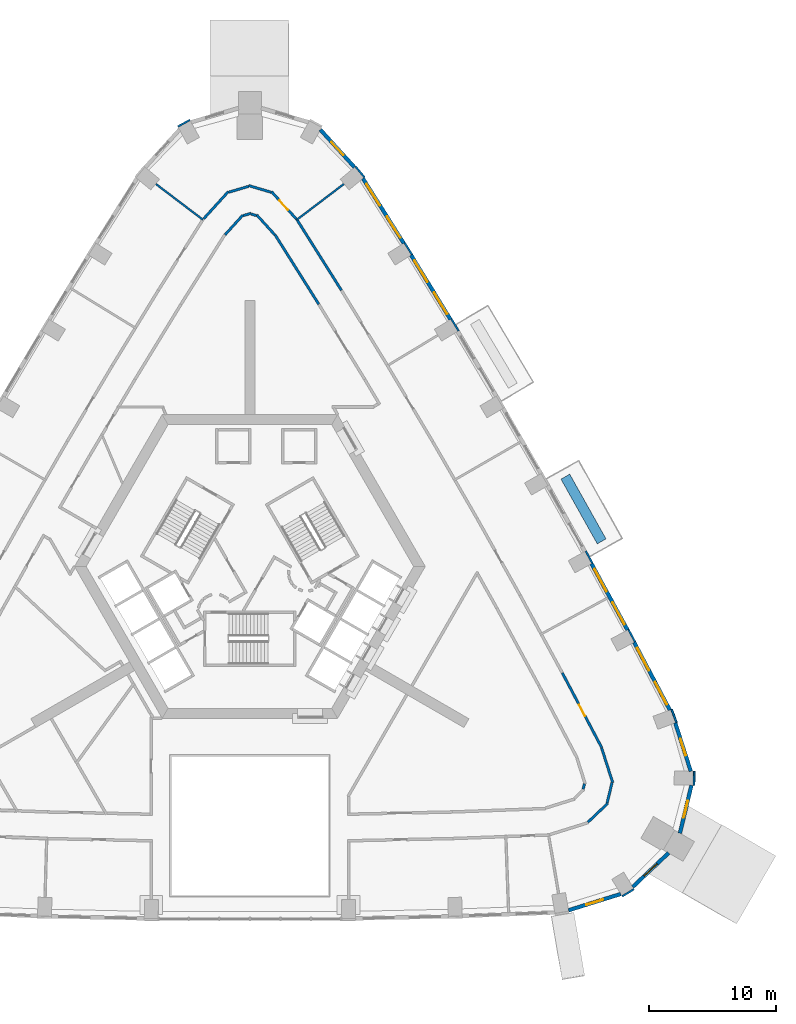
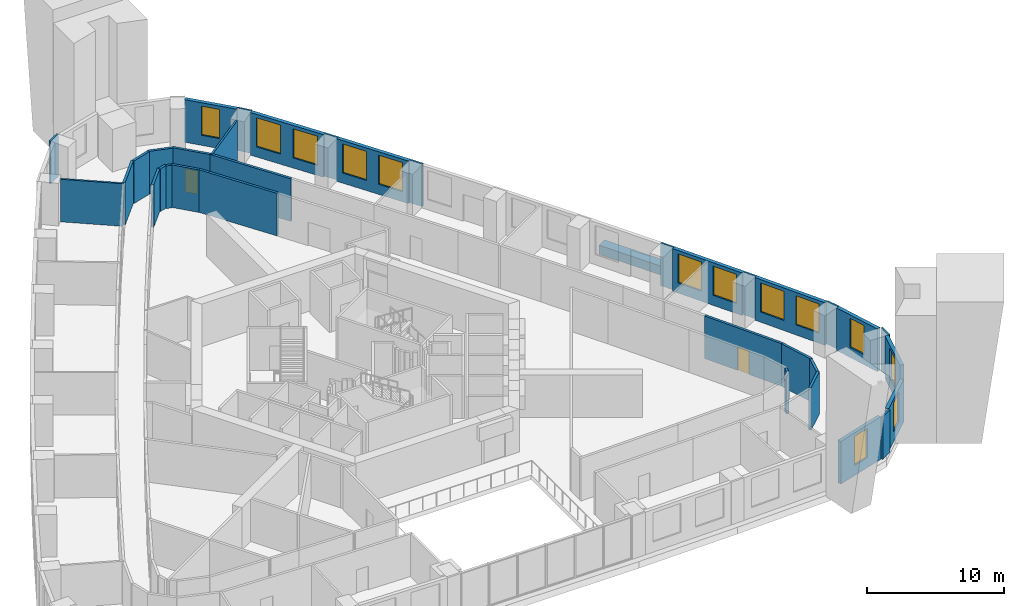
# One storey, part 10 of 14: 36 walls, 13 windows, 2 doors, 15 openings.
"""IFC4 building model written with IfcOpenShell, lengths in metres."""

from ifc_helpers import new_model, si_unit, direction, frame, frame_2d, origin, place, context, subcontext, project, spatial, rectangle, extrude, material, layer, layer_set, type_object, element, fill, save


model = new_model("IFC4")

# Units and contexts
model_context = context("Model", 3, precision=1e-05, world=origin(), true_north=direction((0.0, 1.0)))
body_context = subcontext(model_context, "Body", "Model", "MODEL_VIEW")
ifc_project = project(units=[si_unit("LENGTHUNIT", "METRE"), si_unit("AREAUNIT", "SQUARE_METRE"), si_unit("VOLUMEUNIT", "CUBIC_METRE"), si_unit("PLANEANGLEUNIT", "RADIAN"), si_unit("MASSUNIT", "GRAM", prefix="KILO")], contexts=[model_context])

# Site, building, storey
site_placement = place(None, origin())
site = spatial("IfcSite", under=ifc_project, at=site_placement, CompositionType="ELEMENT")
building_placement = place(site_placement, origin())
building = spatial("IfcBuilding", under=site, at=building_placement, Name="Entoto Arch Interchange Tower", CompositionType="ELEMENT")
storey_placement = place(building_placement, frame((0.0, 0.0, 163.39990234375)))
storey = spatial("IfcBuildingStorey", under=building, at=storey_placement, Name="L36", CompositionType="ELEMENT", Elevation=163.39990234375)

# Walls
ifc_material_1 = material(Name="Gypsum board partition on steel studs", Category="steel")
ifc_layer_1 = layer(ifc_material_1, 0.14990234375)
ifc_layer_set_1 = layer_set([ifc_layer_1], Name="Gypsum board partition on steel studs")
wall_type_1 = type_object("IfcWallType", Name="PARTITION 150", PredefinedType="PARTITIONING", material=ifc_layer_set_1)
for number, where, z_axis, x_axis, name in (
    (1, (3.716064453125, 29.89892578125, 0.0), (0.0, 0.0, 1.0), (0.796435085709, 0.604724031481, 0.0), "wall:L36:p139"),
    (2, (-3.716064453125, 29.89892578125, 0.0), (0.0, 0.0, 1.0), (-0.796435085709, 0.604724031481, 0.0), "wall:L36:p140"),
):
    element("IfcWall", number, at=place(storey_placement, frame(where, z_axis=z_axis, x_axis=x_axis)), inside=storey, type_object=wall_type_1, Name=name, PredefinedType="PARTITIONING", context=body_context, shape_type="SweptSolid", body=[
        extrude(rectangle(XDim=4.6533203125, YDim=0.14990234375, at=frame_2d((2.32666015625, 0.0))), origin(), (0.0, 0.0, 1.0), 3.800048828125),
    ])
ifc_layer_2 = layer(ifc_material_1, 0.199951171875)
ifc_layer_set_2 = layer_set([ifc_layer_2], Name="Gypsum board partition on steel studs")
wall_type_2 = type_object("IfcWallType", Name="PARTITION 200", PredefinedType="PARTITIONING", material=ifc_layer_set_2)
wall_1_placement = place(storey_placement, frame((5.44091796875, 23.218017578125, 0.0), z_axis=(0.0, 0.0, 1.0), x_axis=(-0.532786324951, 0.846249804694, 0.0)))
element("IfcWall", 3, at=wall_1_placement, inside=storey, type_object=wall_type_2, Name="wall:L36:p010", PredefinedType="PARTITIONING", context=body_context, shape_type="SweptSolid", body=[
    extrude(rectangle(XDim=6.488525390625, YDim=0.199951171875, at=frame_2d((3.244140625, 0.0))), origin(), (0.0, 0.0, 1.0), 3.800048828125),
])
wall_2_placement = place(storey_placement, frame((1.969970703125, 28.697998046875, 0.0), z_axis=(0.0, 0.0, 1.0), x_axis=(-0.671753081184, 0.740775133168, 0.0)))
element("IfcWall", 4, at=wall_2_placement, inside=storey, type_object=wall_type_2, Name="wall:L36:p011", PredefinedType="PARTITIONING", context=body_context, shape_type="SweptSolid", body=[
    extrude(rectangle(XDim=2.115234375, YDim=0.199951171875, at=frame_2d((1.0576171875, 0.0))), origin(), (0.0, 0.0, 1.0), 3.800048828125),
])
wall_3_placement = place(storey_placement, frame((0.52001953125, 30.218994140625, 0.0), z_axis=(0.0, 0.0, 1.0), x_axis=(-0.959198261843, 0.282734317826, 0.0)))
element("IfcWall", 5, at=wall_3_placement, inside=storey, type_object=wall_type_2, Name="wall:L36:p012", PredefinedType="PARTITIONING", context=body_context, shape_type="SweptSolid", body=[
    extrude(rectangle(XDim=0.442138671875, YDim=0.199951171875, at=frame_2d((0.22119140625, 0.0))), origin(), (0.0, 0.0, 1.0), 3.800048828125),
])
wall_4_placement = place(storey_placement, frame((0.095947265625, 30.40087890625, 0.0), z_axis=(0.0, 0.0, 1.0), x_axis=(-0.959062300239, -0.283195169908, 0.0)))
element("IfcWall", 6, at=wall_4_placement, inside=storey, type_object=wall_type_2, Name="wall:L36:p013", PredefinedType="PARTITIONING", context=body_context, shape_type="SweptSolid", body=[
    extrude(rectangle(XDim=0.642333984375, YDim=0.199951171875, at=frame_2d((0.3212890625, 0.0))), origin(), (0.0, 0.0, 1.0), 3.800048828125),
])
wall_5_placement = place(storey_placement, frame((-0.549072265625, 30.264892578125, 0.0), z_axis=(0.0, 0.0, 1.0), x_axis=(-0.671753081184, -0.740775133168, 0.0)))
element("IfcWall", 7, at=wall_5_placement, inside=storey, type_object=wall_type_2, Name="wall:L36:p014", PredefinedType="PARTITIONING", context=body_context, shape_type="SweptSolid", body=[
    extrude(rectangle(XDim=2.115234375, YDim=0.199951171875, at=frame_2d((1.0576171875, 0.0))), origin(), (0.0, 0.0, 1.0), 3.800048828125),
])
wall_6_placement = place(storey_placement, frame((26.326904296875, -15.089111328125, 0.0), z_axis=(0.0, 0.0, 1.0), x_axis=(0.233414791565, 0.972377259647, 0.0)))
element("IfcWall", 8, at=wall_6_placement, inside=storey, type_object=wall_type_2, Name="wall:L36:p022", PredefinedType="PARTITIONING", context=body_context, shape_type="SweptSolid", body=[
    extrude(rectangle(XDim=0.44140625, YDim=0.199951171875, at=frame_2d((0.220703125, 0.0))), origin(), (0.0, 0.0, 1.0), 3.800048828125),
])

# Wall, opening, door
wall_7_placement = place(storey_placement, frame((24.679931640625, -5.906005859375, 0.0), z_axis=(0.0, 0.0, 1.0), x_axis=(0.466450727507, -0.884547182918, 0.0)))
wall_7 = element("IfcWall", 9, at=wall_7_placement, inside=storey, type_object=wall_type_2, Name="wall:L36:p047", PredefinedType="PARTITIONING", context=body_context, shape_type="SweptSolid", body=[
    extrude(rectangle(XDim=6.684814453125, YDim=0.199951171875, at=frame_2d((3.34228515625, 0.0))), origin(), (0.0, 0.0, 1.0), 3.800048828125),
])
opening_1_placement = place(wall_7_placement, frame((2.842041015625, 0.0, 0.0)))
opening_1 = element("IfcOpeningElement", 10, at=opening_1_placement, cuts=wall_7, Name="Opening L36-D03", PredefinedType="OPENING", context=body_context, shape_type="SweptSolid", body=[
    extrude(rectangle(XDim=1.0, YDim=2.10009765625, at=frame_2d((0.5, 1.050048828125))), frame((0.0, 0.10986328125, 0.0), z_axis=(0.0, -1.0, 0.0), x_axis=(1.0, 0.0, 0.0)), (0.0, 0.0, 1.0), 0.219970703125),
])
ifc_material_2 = material(Name="Timber door leaf in Steel S235 frame", Category="steel")
door_type = type_object("IfcDoorType", Name="DOOR DS-10 1000x2100", OperationType="SINGLE_SWING_LEFT", PredefinedType="DOOR", material=ifc_material_2)
door_1_placement = place(opening_1_placement, origin())
door_1 = element("IfcDoor", 11, at=door_1_placement, inside=storey, type_object=door_type, Name="door:L36:03", OperationType="SINGLE_SWING_LEFT", OverallHeight=2.10009765625, OverallWidth=1.0, PredefinedType="DOOR", context=body_context, shape_type="SweptSolid", body=[
    extrude(rectangle(XDim=1.0, YDim=2.10009765625, at=frame_2d((0.5, 1.050048828125))), frame((0.0, 0.02490234375, 0.0), z_axis=(0.0, -1.0, 0.0), x_axis=(1.0, 0.0, 0.0)), (0.0, 0.0, 1.0), 0.050048828125),
])
fill(opening_1, door_1)

# Walls
wall_8_placement = place(storey_placement, frame((27.781982421875, -11.824951171875, 0.0), z_axis=(0.0, 0.0, 1.0), x_axis=(0.304925942137, -0.952376065329, 0.0)))
element("IfcWall", 12, at=wall_8_placement, inside=storey, type_object=wall_type_2, Name="wall:L36:p048", PredefinedType="PARTITIONING", context=body_context, shape_type="SweptSolid", body=[
    extrude(rectangle(XDim=2.8896484375, YDim=0.199951171875, at=frame_2d((1.44482421875, 0.0))), origin(), (0.0, 0.0, 1.0), 3.800048828125),
])
wall_9_placement = place(storey_placement, frame((28.60888671875, -14.5791015625, 0.0), z_axis=(0.0, 0.0, 1.0), x_axis=(-0.233826017197, -0.972278454807, 0.0)))
element("IfcWall", 13, at=wall_9_placement, inside=storey, type_object=wall_type_2, Name="wall:L36:p049", PredefinedType="PARTITIONING", context=body_context, shape_type="SweptSolid", body=[
    extrude(rectangle(XDim=1.650634765625, YDim=0.199951171875, at=frame_2d((0.8251953125, 0.0))), origin(), (0.0, 0.0, 1.0), 3.800048828125),
])
wall_10_placement = place(storey_placement, frame((28.27197265625, -16.2119140625, 0.0), z_axis=(0.0, 0.0, 1.0), x_axis=(-0.724712974479, -0.689050872303, 0.0)))
element("IfcWall", 14, at=wall_10_placement, inside=storey, type_object=wall_type_2, Name="wall:L36:p050", PredefinedType="PARTITIONING", context=body_context, shape_type="SweptSolid", body=[
    extrude(rectangle(XDim=2.149658203125, YDim=0.199951171875, at=frame_2d((1.07470703125, 0.0))), origin(), (0.0, 0.0, 1.0), 3.800048828125),
])
wall_11_placement = place(storey_placement, frame((3.6630859375, 29.98388671875, 0.0), z_axis=(0.0, 0.0, 1.0), x_axis=(0.532874279134, -0.846194423662, 0.0)))
element("IfcWall", 15, at=wall_11_placement, inside=storey, type_object=wall_type_2, Name="wall:L36:p057", PredefinedType="PARTITIONING", context=body_context, shape_type="SweptSolid", body=[
    extrude(rectangle(XDim=6.686279296875, YDim=0.199951171875, at=frame_2d((3.34326171875, 0.0))), origin(), (0.0, 0.0, 1.0), 3.800048828125),
])
wall_12_placement = place(storey_placement, frame((-1.678955078125, 32.06591796875, 0.0), z_axis=(0.0, 0.0, 1.0), x_axis=(0.958966543129, 0.283519257122, 0.0)))
element("IfcWall", 16, at=wall_12_placement, inside=storey, type_object=wall_type_2, Name="wall:L36:p059", PredefinedType="PARTITIONING", context=body_context, shape_type="SweptSolid", body=[
    extrude(rectangle(XDim=1.650634765625, YDim=0.199951171875, at=frame_2d((0.8251953125, 0.0))), origin(), (0.0, 0.0, 1.0), 3.800048828125),
])
wall_13_placement = place(storey_placement, frame((-0.095947265625, 32.590087890625, 0.0), z_axis=(0.0, 0.0, 1.0), x_axis=(0.959051918564, -0.283230325881, 0.0)))
element("IfcWall", 17, at=wall_13_placement, inside=storey, type_object=wall_type_2, Name="wall:L36:p060", PredefinedType="PARTITIONING", context=body_context, shape_type="SweptSolid", body=[
    extrude(rectangle(XDim=1.8505859375, YDim=0.199951171875, at=frame_2d((0.92529296875, 0.0))), origin(), (0.0, 0.0, 1.0), 3.800048828125),
])

# Wall, opening, door
wall_14_placement = place(storey_placement, frame((1.7080078125, 32.112060546875, 0.0), z_axis=(0.0, 0.0, 1.0), x_axis=(0.671957285765, -0.740589904135, 0.0)))
wall_14 = element("IfcWall", 18, at=wall_14_placement, inside=storey, type_object=wall_type_2, Name="wall:L36:p061", PredefinedType="PARTITIONING", context=body_context, shape_type="SweptSolid", body=[
    extrude(rectangle(XDim=2.888427734375, YDim=0.199951171875, at=frame_2d((1.4443359375, 0.0))), origin(), (0.0, 0.0, 1.0), 3.800048828125),
])
opening_2_placement = place(wall_14_placement, frame((0.944091796875, 0.0, 0.0)))
opening_2 = element("IfcOpeningElement", 19, at=opening_2_placement, cuts=wall_14, Name="Opening L36-D07", PredefinedType="OPENING", context=body_context, shape_type="SweptSolid", body=[
    extrude(rectangle(XDim=1.0, YDim=2.10009765625, at=frame_2d((0.5, 1.050048828125))), frame((0.0, 0.10986328125, 0.0), z_axis=(0.0, -1.0, 0.0), x_axis=(1.0, 0.0, 0.0)), (0.0, 0.0, 1.0), 0.219970703125),
])
door_2_placement = place(opening_2_placement, origin())
door_2 = element("IfcDoor", 20, at=door_2_placement, inside=storey, type_object=door_type, Name="door:L36:07", OperationType="SINGLE_SWING_LEFT", OverallHeight=2.10009765625, OverallWidth=1.0, PredefinedType="DOOR", context=body_context, shape_type="SweptSolid", body=[
    extrude(rectangle(XDim=1.0, YDim=2.10009765625, at=frame_2d((0.5, 1.050048828125))), frame((0.0, 0.02490234375, 0.0), z_axis=(0.0, -1.0, 0.0), x_axis=(1.0, 0.0, 0.0)), (0.0, 0.0, 1.0), 0.050048828125),
])
fill(opening_2, door_2)

# Walls
wall_15_placement = place(storey_placement, frame((-3.64892578125, 29.972900390625, 0.0), z_axis=(0.0, 0.0, 1.0), x_axis=(0.671957285765, 0.740589904135, 0.0)))
element("IfcWall", 21, at=wall_15_placement, inside=storey, type_object=wall_type_2, Name="wall:L36:p062", PredefinedType="PARTITIONING", context=body_context, shape_type="SweptSolid", body=[
    extrude(rectangle(XDim=2.888427734375, YDim=0.199951171875, at=frame_2d((1.4443359375, 0.0))), origin(), (0.0, 0.0, 1.0), 3.800048828125),
])
ifc_material_3 = material(Name="Board-marked precast concrete C50/60", Category="concrete")
ifc_layer_3 = layer(ifc_material_3, 0.800048828125)
ifc_layer_set_3 = layer_set([ifc_layer_3], Name="Board-marked precast concrete C50/60")
wall_type_3 = type_object("IfcWallType", Name="PLANTER RC 800 Afrocarpus falcatus", PredefinedType="STANDARD", material=ifc_layer_set_3)
wall_16_placement = place(storey_placement, frame((27.7880859375, 4.48291015625, 0.0), z_axis=(0.0, 0.0, 1.0), x_axis=(-0.489036967821, 0.872263059005, 0.0)))
element("IfcWall", 22, at=wall_16_placement, inside=storey, type_object=wall_type_3, Name="Planter NE-03 L36", PredefinedType="STANDARD", context=body_context, shape_type="SweptSolid", body=[
    extrude(rectangle(XDim=5.863037109375, YDim=0.800048828125, at=frame_2d((2.931640625, 0.0))), origin(), (0.0, 0.0, 1.0), 0.800048828125),
])

# Wall, opening, window
ifc_material_4 = material(Name="Welded tuff (ignimbrite) cladding, warm buff", Category="masonry")
ifc_layer_4 = layer(ifc_material_4, 0.300048828125)
ifc_layer_set_4 = layer_set([ifc_layer_4], Name="Welded tuff (ignimbrite) cladding, warm buff")
wall_type_4 = type_object("IfcWallType", Name="STONE INFILL WALL 300", PredefinedType="STANDARD", material=ifc_layer_set_4)
wall_17_placement = place(storey_placement, frame((25.172119140625, -24.6630859375, 0.0), z_axis=(0.0, 0.0, 1.0), x_axis=(0.954628614874, 0.29779893832, 0.0)))
wall_17 = element("IfcWall", 23, at=wall_17_placement, inside=storey, type_object=wall_type_4, Name="Facade wall SE-01 L36", PredefinedType="STANDARD", context=body_context, shape_type="SweptSolid", body=[
    extrude(rectangle(XDim=4.322021484375, YDim=0.300048828125, at=frame_2d((2.1611328125, 0.0))), origin(), (0.0, 0.0, 1.0), 3.800048828125),
])
opening_3_placement = place(wall_17_placement, frame((1.4609375, 0.0, 0.89990234375)))
opening_3 = element("IfcOpeningElement", 24, at=opening_3_placement, cuts=wall_17, Name="Opening WO-B", PredefinedType="OPENING", context=body_context, shape_type="SweptSolid", body=[
    extrude(rectangle(XDim=1.39990234375, YDim=2.60009765625, at=frame_2d((0.699951171875, 1.300048828125))), frame((0.0, 0.16015625, 0.0), z_axis=(0.0, -1.0, 0.0), x_axis=(1.0, 0.0, 0.0)), (0.0, 0.0, 1.0), 0.320068359375),
])
ifc_material_5 = material(Name="Clear glass, low-e double glazed", Category="glass")
window_type_1 = type_object("IfcWindowType", Name="WINDOW WO-B 1400x2600", PartitioningType="DOUBLE_PANEL_VERTICAL", PredefinedType="WINDOW", material=ifc_material_5)
window_1_placement = place(opening_3_placement, origin())
window_1 = element("IfcWindow", 25, at=window_1_placement, inside=storey, type_object=window_type_1, Name="Window WO-B SE-01 L36", OverallHeight=2.60009765625, OverallWidth=1.39990234375, PartitioningType="SINGLE_PANEL", PredefinedType="WINDOW", context=body_context, shape_type="SweptSolid", body=[
    extrude(rectangle(XDim=1.39990234375, YDim=2.60009765625, at=frame_2d((0.699951171875, 1.300048828125))), frame((0.0, 0.030029296875, 0.0), z_axis=(0.0, -1.0, 0.0), x_axis=(1.0, 0.0, 0.0)), (0.0, 0.0, 1.0), 0.06005859375),
])
fill(opening_3, window_1)

wall_18_placement = place(storey_placement, frame((30.24609375, -22.821044921875, 0.0), z_axis=(0.0, 0.0, 1.0), x_axis=(0.724807239831, 0.688951714628, 0.0)))
wall_18 = element("IfcWall", 26, at=wall_18_placement, inside=storey, type_object=wall_type_4, Name="Facade wall SE-02 L36", PredefinedType="STANDARD", context=body_context, shape_type="SweptSolid", body=[
    extrude(rectangle(XDim=3.901611328125, YDim=0.300048828125, at=frame_2d((1.95068359375, 0.0))), origin(), (0.0, 0.0, 1.0), 3.800048828125),
])
opening_4_placement = place(wall_18_placement, frame((1.2509765625, 0.0, 0.89990234375)))
opening_4 = element("IfcOpeningElement", 27, at=opening_4_placement, cuts=wall_18, Name="Opening WO-B", PredefinedType="OPENING", context=body_context, shape_type="SweptSolid", body=[
    extrude(rectangle(XDim=1.39990234375, YDim=2.60009765625, at=frame_2d((0.699951171875, 1.300048828125))), frame((0.0, 0.16015625, 0.0), z_axis=(0.0, -1.0, 0.0), x_axis=(1.0, 0.0, 0.0)), (0.0, 0.0, 1.0), 0.320068359375),
])
window_2_placement = place(opening_4_placement, origin())
window_2 = element("IfcWindow", 28, at=window_2_placement, inside=storey, type_object=window_type_1, Name="Window WO-B SE-02 L36", OverallHeight=2.60009765625, OverallWidth=1.39990234375, PartitioningType="SINGLE_PANEL", PredefinedType="WINDOW", context=body_context, shape_type="SweptSolid", body=[
    extrude(rectangle(XDim=1.39990234375, YDim=2.60009765625, at=frame_2d((0.699951171875, 1.300048828125))), frame((0.0, 0.030029296875, 0.0), z_axis=(0.0, -1.0, 0.0), x_axis=(1.0, 0.0, 0.0)), (0.0, 0.0, 1.0), 0.06005859375),
])
fill(opening_4, window_2)

wall_19_placement = place(storey_placement, frame((33.972900390625, -18.574951171875, 0.0), z_axis=(0.0, 0.0, 1.0), x_axis=(0.234102046927, 0.972212030179, 0.0)))
wall_19 = element("IfcWall", 29, at=wall_19_placement, inside=storey, type_object=wall_type_4, Name="Facade wall SE-03 L36", PredefinedType="STANDARD", context=body_context, shape_type="SweptSolid", body=[
    extrude(rectangle(XDim=3.900390625, YDim=0.300048828125, at=frame_2d((1.9501953125, 0.0))), origin(), (0.0, 0.0, 1.0), 3.800048828125),
])
opening_5_placement = place(wall_19_placement, frame((1.25, 0.0, 0.89990234375)))
opening_5 = element("IfcOpeningElement", 30, at=opening_5_placement, cuts=wall_19, Name="Opening WO-B", PredefinedType="OPENING", context=body_context, shape_type="SweptSolid", body=[
    extrude(rectangle(XDim=1.39990234375, YDim=2.60009765625, at=frame_2d((0.699951171875, 1.300048828125))), frame((0.0, 0.16015625, 0.0), z_axis=(0.0, -1.0, 0.0), x_axis=(1.0, 0.0, 0.0)), (0.0, 0.0, 1.0), 0.320068359375),
])
window_3_placement = place(opening_5_placement, origin())
window_3 = element("IfcWindow", 31, at=window_3_placement, inside=storey, type_object=window_type_1, Name="Window WO-B SE-03 L36", OverallHeight=2.60009765625, OverallWidth=1.39990234375, PartitioningType="SINGLE_PANEL", PredefinedType="WINDOW", context=body_context, shape_type="SweptSolid", body=[
    extrude(rectangle(XDim=1.39990234375, YDim=2.60009765625, at=frame_2d((0.699951171875, 1.300048828125))), frame((0.0, 0.030029296875, 0.0), z_axis=(0.0, -1.0, 0.0), x_axis=(1.0, 0.0, 0.0)), (0.0, 0.0, 1.0), 0.06005859375),
])
fill(opening_5, window_3)

wall_20_placement = place(storey_placement, frame((34.8349609375, -13.68408203125, 0.0), z_axis=(0.0, 0.0, 1.0), x_axis=(-0.305018133869, 0.952346543025, 0.0)))
wall_20 = element("IfcWall", 32, at=wall_20_placement, inside=storey, type_object=wall_type_4, Name="Facade wall SE-04 L36", PredefinedType="STANDARD", context=body_context, shape_type="SweptSolid", body=[
    extrude(rectangle(XDim=4.019775390625, YDim=0.300048828125, at=frame_2d((2.009765625, 0.0))), origin(), (0.0, 0.0, 1.0), 3.800048828125),
])
opening_6_placement = place(wall_20_placement, frame((1.31005859375, 0.0, 0.89990234375)))
opening_6 = element("IfcOpeningElement", 33, at=opening_6_placement, cuts=wall_20, Name="Opening WO-B", PredefinedType="OPENING", context=body_context, shape_type="SweptSolid", body=[
    extrude(rectangle(XDim=1.39990234375, YDim=2.60009765625, at=frame_2d((0.699951171875, 1.300048828125))), frame((0.0, 0.16015625, 0.0), z_axis=(0.0, -1.0, 0.0), x_axis=(1.0, 0.0, 0.0)), (0.0, 0.0, 1.0), 0.320068359375),
])
window_4_placement = place(opening_6_placement, origin())
window_4 = element("IfcWindow", 34, at=window_4_placement, inside=storey, type_object=window_type_1, Name="Window WO-B SE-04 L36", OverallHeight=2.60009765625, OverallWidth=1.39990234375, PartitioningType="SINGLE_PANEL", PredefinedType="WINDOW", context=body_context, shape_type="SweptSolid", body=[
    extrude(rectangle(XDim=1.39990234375, YDim=2.60009765625, at=frame_2d((0.699951171875, 1.300048828125))), frame((0.0, 0.030029296875, 0.0), z_axis=(0.0, -1.0, 0.0), x_axis=(1.0, 0.0, 0.0)), (0.0, 0.0, 1.0), 0.06005859375),
])
fill(opening_6, window_4)

# Wall, openings, windows
wall_21_placement = place(storey_placement, frame((33.181884765625, -8.843994140625, 0.0), z_axis=(0.0, 0.0, 1.0), x_axis=(-0.466399410196, 0.884574242316, 0.0)))
wall_21 = element("IfcWall", 35, at=wall_21_placement, inside=storey, type_object=wall_type_4, Name="Facade wall NE-01 L36", PredefinedType="STANDARD", context=body_context, shape_type="SweptSolid", body=[
    extrude(rectangle(XDim=6.054931640625, YDim=0.300048828125, at=frame_2d((3.02734375, 0.0))), origin(), (0.0, 0.0, 1.0), 3.800048828125),
])
opening_7_placement = place(wall_21_placement, frame((0.513916015625, 0.0, 0.89990234375)))
opening_7 = element("IfcOpeningElement", 36, at=opening_7_placement, cuts=wall_21, Name="Opening WO-C", PredefinedType="OPENING", context=body_context, shape_type="SweptSolid", body=[
    extrude(rectangle(XDim=2.0, YDim=2.60009765625, at=frame_2d((1.0, 1.300048828125))), frame((0.0, 0.16015625, 0.0), z_axis=(0.0, -1.0, 0.0), x_axis=(1.0, 0.0, 0.0)), (0.0, 0.0, 1.0), 0.320068359375),
])
opening_8_placement = place(wall_21_placement, frame((3.541015625, 0.0, 0.89990234375)))
opening_8 = element("IfcOpeningElement", 37, at=opening_8_placement, cuts=wall_21, Name="Opening WO-C", PredefinedType="OPENING", context=body_context, shape_type="SweptSolid", body=[
    extrude(rectangle(XDim=2.0, YDim=2.60009765625, at=frame_2d((1.0, 1.300048828125))), frame((0.0, 0.16015625, 0.0), z_axis=(0.0, -1.0, 0.0), x_axis=(1.0, 0.0, 0.0)), (0.0, 0.0, 1.0), 0.320068359375),
])
window_type_2 = type_object("IfcWindowType", Name="WINDOW WO-C 2000x2600", PartitioningType="DOUBLE_PANEL_VERTICAL", PredefinedType="WINDOW", material=ifc_material_5)
window_5_placement = place(opening_7_placement, origin())
window_5 = element("IfcWindow", 38, at=window_5_placement, inside=storey, type_object=window_type_2, Name="Window WO-C NE-01 L36", OverallHeight=2.60009765625, OverallWidth=2.0, PartitioningType="SINGLE_PANEL", PredefinedType="WINDOW", context=body_context, shape_type="SweptSolid", body=[
    extrude(rectangle(XDim=2.0, YDim=2.60009765625, at=frame_2d((1.0, 1.300048828125))), frame((0.0, 0.030029296875, 0.0), z_axis=(0.0, -1.0, 0.0), x_axis=(1.0, 0.0, 0.0)), (0.0, 0.0, 1.0), 0.06005859375),
])
fill(opening_7, window_5)
window_6_placement = place(opening_8_placement, origin())
window_6 = element("IfcWindow", 39, at=window_6_placement, inside=storey, type_object=window_type_2, Name="Window WO-C NE-01 L36", OverallHeight=2.60009765625, OverallWidth=2.0, PartitioningType="SINGLE_PANEL", PredefinedType="WINDOW", context=body_context, shape_type="SweptSolid", body=[
    extrude(rectangle(XDim=2.0, YDim=2.60009765625, at=frame_2d((1.0, 1.300048828125))), frame((0.0, 0.030029296875, 0.0), z_axis=(0.0, -1.0, 0.0), x_axis=(1.0, 0.0, 0.0)), (0.0, 0.0, 1.0), 0.06005859375),
])
fill(opening_8, window_6)

wall_22_placement = place(storey_placement, frame((29.839111328125, -2.52001953125, 0.0), z_axis=(0.0, 0.0, 1.0), x_axis=(-0.477555226268, 0.878601733361, 0.0)))
wall_22 = element("IfcWall", 40, at=wall_22_placement, inside=storey, type_object=wall_type_4, Name="Facade wall NE-02 L36", PredefinedType="STANDARD", context=body_context, shape_type="SweptSolid", body=[
    extrude(rectangle(XDim=5.964111328125, YDim=0.300048828125, at=frame_2d((2.98193359375, 0.0))), origin(), (0.0, 0.0, 1.0), 3.800048828125),
])
opening_9_placement = place(wall_22_placement, frame((0.490966796875, 0.0, 0.89990234375)))
opening_9 = element("IfcOpeningElement", 41, at=opening_9_placement, cuts=wall_22, Name="Opening WO-C", PredefinedType="OPENING", context=body_context, shape_type="SweptSolid", body=[
    extrude(rectangle(XDim=2.0, YDim=2.60009765625, at=frame_2d((1.0, 1.300048828125))), frame((0.0, 0.16015625, 0.0), z_axis=(0.0, -1.0, 0.0), x_axis=(1.0, 0.0, 0.0)), (0.0, 0.0, 1.0), 0.320068359375),
])
opening_10_placement = place(wall_22_placement, frame((3.472900390625, 0.0, 0.89990234375)))
opening_10 = element("IfcOpeningElement", 42, at=opening_10_placement, cuts=wall_22, Name="Opening WO-C", PredefinedType="OPENING", context=body_context, shape_type="SweptSolid", body=[
    extrude(rectangle(XDim=2.0, YDim=2.60009765625, at=frame_2d((1.0, 1.300048828125))), frame((0.0, 0.16015625, 0.0), z_axis=(0.0, -1.0, 0.0), x_axis=(1.0, 0.0, 0.0)), (0.0, 0.0, 1.0), 0.320068359375),
])
window_7_placement = place(opening_9_placement, origin())
window_7 = element("IfcWindow", 43, at=window_7_placement, inside=storey, type_object=window_type_2, Name="Window WO-C NE-02 L36", OverallHeight=2.60009765625, OverallWidth=2.0, PartitioningType="SINGLE_PANEL", PredefinedType="WINDOW", context=body_context, shape_type="SweptSolid", body=[
    extrude(rectangle(XDim=2.0, YDim=2.60009765625, at=frame_2d((1.0, 1.300048828125))), frame((0.0, 0.030029296875, 0.0), z_axis=(0.0, -1.0, 0.0), x_axis=(1.0, 0.0, 0.0)), (0.0, 0.0, 1.0), 0.06005859375),
])
fill(opening_9, window_7)
window_8_placement = place(opening_10_placement, origin())
window_8 = element("IfcWindow", 44, at=window_8_placement, inside=storey, type_object=window_type_2, Name="Window WO-C NE-02 L36", OverallHeight=2.60009765625, OverallWidth=2.0, PartitioningType="SINGLE_PANEL", PredefinedType="WINDOW", context=body_context, shape_type="SweptSolid", body=[
    extrude(rectangle(XDim=2.0, YDim=2.60009765625, at=frame_2d((1.0, 1.300048828125))), frame((0.0, 0.030029296875, 0.0), z_axis=(0.0, -1.0, 0.0), x_axis=(1.0, 0.0, 0.0)), (0.0, 0.0, 1.0), 0.06005859375),
])
fill(opening_10, window_8)

wall_23_placement = place(storey_placement, frame((15.85107421875, 22.014892578125, 0.0), z_axis=(0.0, 0.0, 1.0), x_axis=(-0.522156898008, 0.852849443842, 0.0)))
wall_23 = element("IfcWall", 45, at=wall_23_placement, inside=storey, type_object=wall_type_4, Name="Facade wall NE-06 L36", PredefinedType="STANDARD", context=body_context, shape_type="SweptSolid", body=[
    extrude(rectangle(XDim=5.9638671875, YDim=0.300048828125, at=frame_2d((2.98193359375, 0.0))), origin(), (0.0, 0.0, 1.0), 3.800048828125),
])
opening_11_placement = place(wall_23_placement, frame((0.490966796875, 0.0, 0.89990234375)))
opening_11 = element("IfcOpeningElement", 46, at=opening_11_placement, cuts=wall_23, Name="Opening WO-C", PredefinedType="OPENING", context=body_context, shape_type="SweptSolid", body=[
    extrude(rectangle(XDim=2.0, YDim=2.60009765625, at=frame_2d((1.0, 1.300048828125))), frame((0.0, 0.16015625, 0.0), z_axis=(0.0, -1.0, 0.0), x_axis=(1.0, 0.0, 0.0)), (0.0, 0.0, 1.0), 0.320068359375),
])
opening_12_placement = place(wall_23_placement, frame((3.472900390625, 0.0, 0.89990234375)))
opening_12 = element("IfcOpeningElement", 47, at=opening_12_placement, cuts=wall_23, Name="Opening WO-C", PredefinedType="OPENING", context=body_context, shape_type="SweptSolid", body=[
    extrude(rectangle(XDim=2.0, YDim=2.60009765625, at=frame_2d((1.0, 1.300048828125))), frame((0.0, 0.16015625, 0.0), z_axis=(0.0, -1.0, 0.0), x_axis=(1.0, 0.0, 0.0)), (0.0, 0.0, 1.0), 0.320068359375),
])
window_9_placement = place(opening_11_placement, origin())
window_9 = element("IfcWindow", 48, at=window_9_placement, inside=storey, type_object=window_type_2, Name="Window WO-C NE-06 L36", OverallHeight=2.60009765625, OverallWidth=2.0, PartitioningType="SINGLE_PANEL", PredefinedType="WINDOW", context=body_context, shape_type="SweptSolid", body=[
    extrude(rectangle(XDim=2.0, YDim=2.60009765625, at=frame_2d((1.0, 1.300048828125))), frame((0.0, 0.030029296875, 0.0), z_axis=(0.0, -1.0, 0.0), x_axis=(1.0, 0.0, 0.0)), (0.0, 0.0, 1.0), 0.06005859375),
])
fill(opening_11, window_9)
window_10_placement = place(opening_12_placement, origin())
window_10 = element("IfcWindow", 49, at=window_10_placement, inside=storey, type_object=window_type_2, Name="Window WO-C NE-06 L36", OverallHeight=2.60009765625, OverallWidth=2.0, PartitioningType="SINGLE_PANEL", PredefinedType="WINDOW", context=body_context, shape_type="SweptSolid", body=[
    extrude(rectangle(XDim=2.0, YDim=2.60009765625, at=frame_2d((1.0, 1.300048828125))), frame((0.0, 0.030029296875, 0.0), z_axis=(0.0, -1.0, 0.0), x_axis=(1.0, 0.0, 0.0)), (0.0, 0.0, 1.0), 0.06005859375),
])
fill(opening_12, window_10)

wall_24_placement = place(storey_placement, frame((12.157958984375, 28.033935546875, 0.0), z_axis=(0.0, 0.0, 1.0), x_axis=(-0.532721310512, 0.846290733334, 0.0)))
wall_24 = element("IfcWall", 50, at=wall_24_placement, inside=storey, type_object=wall_type_4, Name="Facade wall NE-07 L36", PredefinedType="STANDARD", context=body_context, shape_type="SweptSolid", body=[
    extrude(rectangle(XDim=6.055908203125, YDim=0.300048828125, at=frame_2d((3.02783203125, 0.0))), origin(), (0.0, 0.0, 1.0), 3.800048828125),
])
opening_13_placement = place(wall_24_placement, frame((0.513916015625, 0.0, 0.89990234375)))
opening_13 = element("IfcOpeningElement", 51, at=opening_13_placement, cuts=wall_24, Name="Opening WO-C", PredefinedType="OPENING", context=body_context, shape_type="SweptSolid", body=[
    extrude(rectangle(XDim=2.0, YDim=2.60009765625, at=frame_2d((1.0, 1.300048828125))), frame((0.0, 0.16015625, 0.0), z_axis=(0.0, -1.0, 0.0), x_axis=(1.0, 0.0, 0.0)), (0.0, 0.0, 1.0), 0.320068359375),
])
opening_14_placement = place(wall_24_placement, frame((3.5419921875, 0.0, 0.89990234375)))
opening_14 = element("IfcOpeningElement", 52, at=opening_14_placement, cuts=wall_24, Name="Opening WO-C", PredefinedType="OPENING", context=body_context, shape_type="SweptSolid", body=[
    extrude(rectangle(XDim=2.0, YDim=2.60009765625, at=frame_2d((1.0, 1.300048828125))), frame((0.0, 0.16015625, 0.0), z_axis=(0.0, -1.0, 0.0), x_axis=(1.0, 0.0, 0.0)), (0.0, 0.0, 1.0), 0.320068359375),
])
window_11_placement = place(opening_13_placement, origin())
window_11 = element("IfcWindow", 53, at=window_11_placement, inside=storey, type_object=window_type_2, Name="Window WO-C NE-07 L36", OverallHeight=2.60009765625, OverallWidth=2.0, PartitioningType="SINGLE_PANEL", PredefinedType="WINDOW", context=body_context, shape_type="SweptSolid", body=[
    extrude(rectangle(XDim=2.0, YDim=2.60009765625, at=frame_2d((1.0, 1.300048828125))), frame((0.0, 0.030029296875, 0.0), z_axis=(0.0, -1.0, 0.0), x_axis=(1.0, 0.0, 0.0)), (0.0, 0.0, 1.0), 0.06005859375),
])
fill(opening_13, window_11)
window_12_placement = place(opening_14_placement, origin())
window_12 = element("IfcWindow", 54, at=window_12_placement, inside=storey, type_object=window_type_2, Name="Window WO-C NE-07 L36", OverallHeight=2.60009765625, OverallWidth=2.0, PartitioningType="SINGLE_PANEL", PredefinedType="WINDOW", context=body_context, shape_type="SweptSolid", body=[
    extrude(rectangle(XDim=2.0, YDim=2.60009765625, at=frame_2d((1.0, 1.300048828125))), frame((0.0, 0.030029296875, 0.0), z_axis=(0.0, -1.0, 0.0), x_axis=(1.0, 0.0, 0.0)), (0.0, 0.0, 1.0), 0.06005859375),
])
fill(opening_14, window_12)

# Wall, opening, window
wall_25_placement = place(storey_placement, frame((8.26806640625, 34.034912109375, 0.0), z_axis=(0.0, 0.0, 1.0), x_axis=(-0.672034341329, 0.740519982225, 0.0)))
wall_25 = element("IfcWall", 55, at=wall_25_placement, inside=storey, type_object=wall_type_4, Name="Facade wall N-01 L36", PredefinedType="STANDARD", context=body_context, shape_type="SweptSolid", body=[
    extrude(rectangle(XDim=4.017578125, YDim=0.300048828125, at=frame_2d((2.0087890625, 0.0))), origin(), (0.0, 0.0, 1.0), 3.800048828125),
])
opening_15_placement = place(wall_25_placement, frame((1.30908203125, 0.0, 0.89990234375)))
opening_15 = element("IfcOpeningElement", 56, at=opening_15_placement, cuts=wall_25, Name="Opening WO-B", PredefinedType="OPENING", context=body_context, shape_type="SweptSolid", body=[
    extrude(rectangle(XDim=1.39990234375, YDim=2.60009765625, at=frame_2d((0.699951171875, 1.300048828125))), frame((0.0, 0.16015625, 0.0), z_axis=(0.0, -1.0, 0.0), x_axis=(1.0, 0.0, 0.0)), (0.0, 0.0, 1.0), 0.320068359375),
])
window_13_placement = place(opening_15_placement, origin())
window_13 = element("IfcWindow", 57, at=window_13_placement, inside=storey, type_object=window_type_1, Name="Window WO-B N-01 L36", OverallHeight=2.60009765625, OverallWidth=1.39990234375, PartitioningType="SINGLE_PANEL", PredefinedType="WINDOW", context=body_context, shape_type="SweptSolid", body=[
    extrude(rectangle(XDim=1.39990234375, YDim=2.60009765625, at=frame_2d((0.699951171875, 1.300048828125))), frame((0.0, 0.030029296875, 0.0), z_axis=(0.0, -1.0, 0.0), x_axis=(1.0, 0.0, 0.0)), (0.0, 0.0, 1.0), 0.06005859375),
])
fill(opening_15, window_13)

# Walls
ifc_layer_5 = layer(ifc_material_4, 0.14990234375)
ifc_layer_set_5 = layer_set([ifc_layer_5], Name="Welded tuff (ignimbrite) cladding, warm buff")
wall_type_5 = type_object("IfcWallType", Name="STONE PIER CLADDING 150", PredefinedType="STANDARD", material=ifc_layer_set_5)
wall_26_placement = place(storey_placement, frame((-4.73388671875, 37.778076171875, 0.0), z_axis=(0.0, 0.0, 1.0), x_axis=(-0.877836219403, -0.478960929414, 0.0)))
element("IfcWall", 58, at=wall_26_placement, inside=storey, type_object=wall_type_5, Name="Stone pier N3 L36", PredefinedType="STANDARD", context=body_context, shape_type="SweptSolid", body=[
    extrude(rectangle(XDim=1.1005859375, YDim=0.14990234375, at=frame_2d((0.55029296875, 0.0))), origin(), (0.0, 0.0, 1.0), 3.800048828125),
])
for number, where, z_axis, x_axis, name in (
    (59, (33.701904296875, -9.822998046875, 0.0), (0.0, 0.0, 1.0), (-0.346229846278, 0.938149718087, 0.0), "Stone pier NE01 L36"),
    (60, (30.426025390625, -3.452880859375, 0.0), (0.0, 0.0, 1.0), (-0.470058271093, 0.88263538439, 0.0), "Stone pier NE02 L36"),
    (61, (27.05908203125, 2.757080078125, 0.0), (0.0, 0.0, 1.0), (-0.481850587491, 0.876253394478, 0.0), "Stone pier NE03 L36"),
    (62, (16.487060546875, 21.114990234375, 0.0), (0.0, 0.0, 1.0), (-0.518178754102, 0.855272341888, 0.0), "Stone pier NE06 L36"),
    (63, (12.805908203125, 27.14306640625, 0.0), (0.0, 0.0, 1.0), (-0.52997899071, 0.848010771987, 0.0), "Stone pier NE07 L36"),
    (64, (9.047119140625, 33.2529296875, 0.0), (0.0, 0.0, 1.0), (-0.639092407347, 0.769129959676, 0.0), "Stone pier NE08 L36"),
):
    element("IfcWall", number, at=place(storey_placement, frame(where, z_axis=z_axis, x_axis=x_axis)), inside=storey, type_object=wall_type_5, Name=name, PredefinedType="STANDARD", context=body_context, shape_type="SweptSolid", body=[
        extrude(rectangle(XDim=1.10009765625, YDim=0.14990234375, at=frame_2d((0.550048828125, 0.0))), origin(), (0.0, 0.0, 1.0), 3.800048828125),
    ])
wall_27_placement = place(storey_placement, frame((29.409912109375, -23.56103515625, 0.0), z_axis=(0.0, 0.0, 1.0), x_axis=(0.854065628997, 0.520165263514, 0.0)))
element("IfcWall", 65, at=wall_27_placement, inside=storey, type_object=wall_type_5, Name="Stone pier SE1 L36", PredefinedType="STANDARD", context=body_context, shape_type="SweptSolid", body=[
    extrude(rectangle(XDim=1.099609375, YDim=0.14990234375, at=frame_2d((0.5498046875, 0.0))), origin(), (0.0, 0.0, 1.0), 3.800048828125),
])
wall_28_placement = place(storey_placement, frame((35.0830078125, -14.7890625, 0.0), z_axis=(0.0, 0.0, 1.0), x_axis=(0.023517683673, 0.999723421029, 0.0)))
element("IfcWall", 66, at=wall_28_placement, inside=storey, type_object=wall_type_5, Name="Stone pier SE3 L36", PredefinedType="STANDARD", context=body_context, shape_type="SweptSolid", body=[
    extrude(rectangle(XDim=1.100341796875, YDim=0.14990234375, at=frame_2d((0.55029296875, 0.0))), origin(), (0.0, 0.0, 1.0), 3.800048828125),
])

save(model, "model.ifc")
